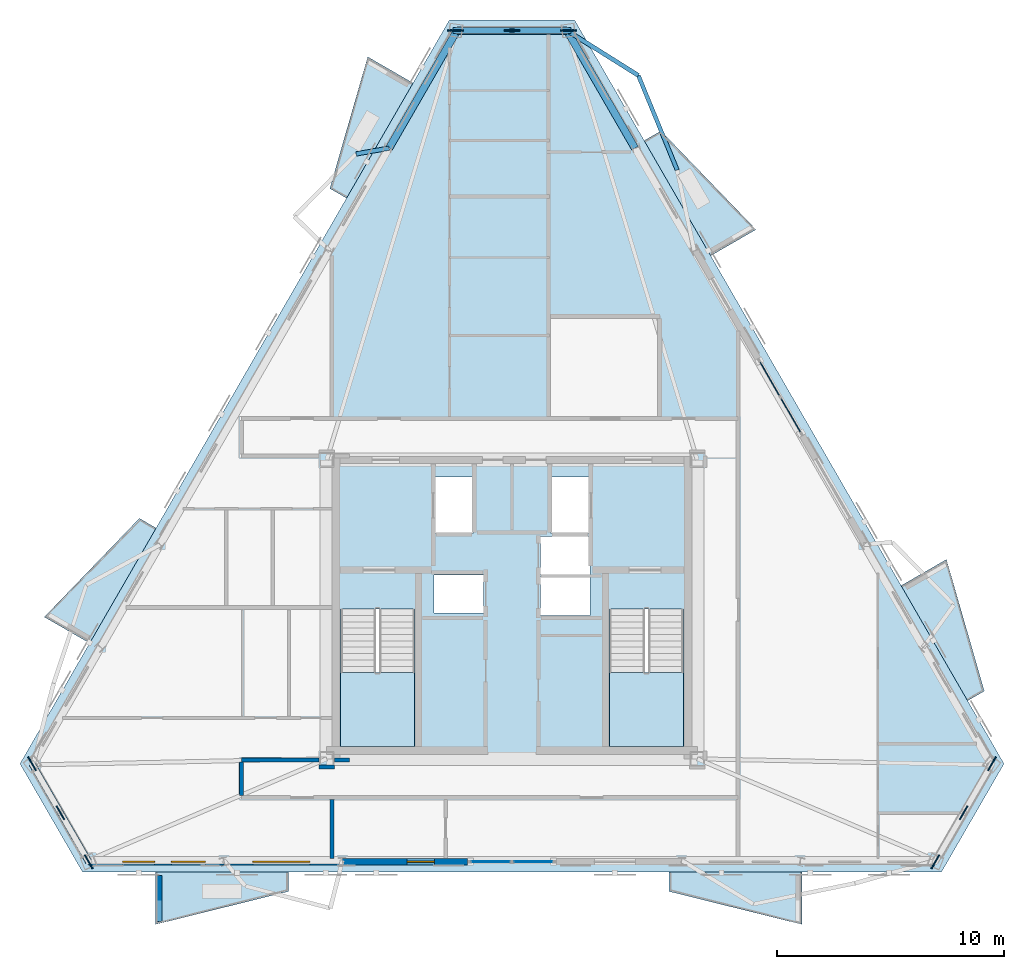
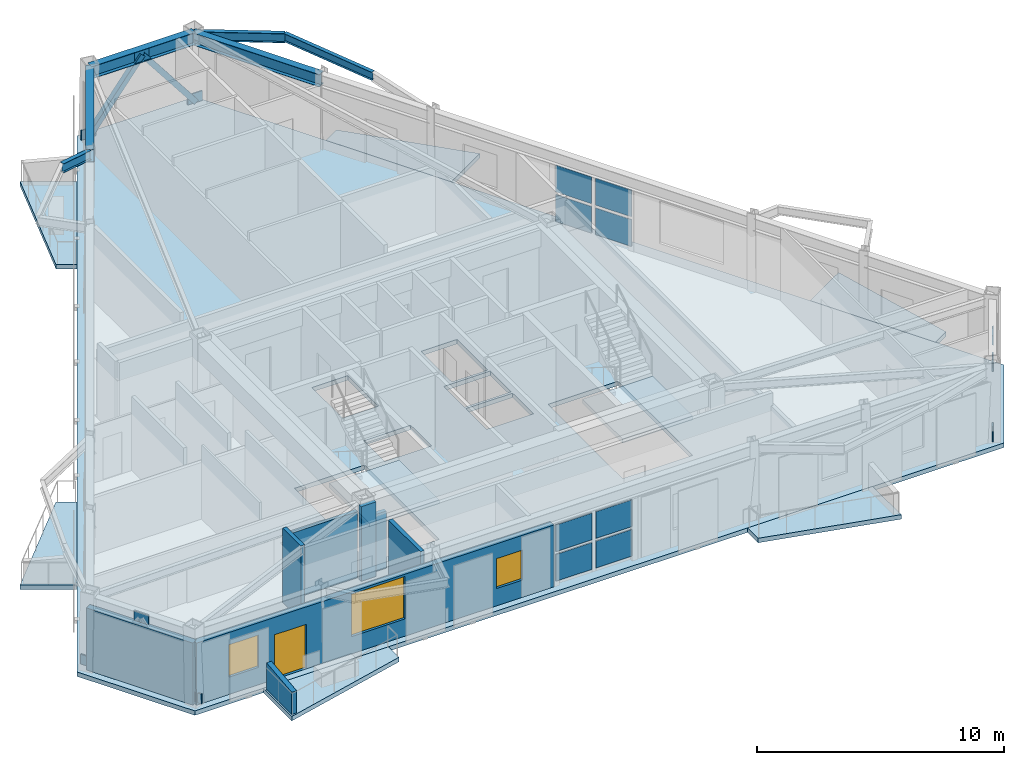
# One storey, part 7 of 15: 17 plates, 9 slabs, 8 walls, 6 beams, 3 windows, 2 members, 1 door, 4 openings, 4 elements without a shape of their own.
"""IFC4 building model written with IfcOpenShell, lengths in metres."""

import ifcopenshell
import ifcopenshell.guid

model = None  # the IFC model being written
_history = None  # IfcOwnerHistory: only IFC2X3 demands one
_inside = {}  # id of a spatial element -> (the spatial element, [elements in it])
_under = {}  # id of a project, library or spatial element -> (it, [spatial elements below it])
_declared = {}  # id of a project -> (the project, [libraries it declares])
_typed = {}  # id of a type object -> (the type object, [elements of that type])
_made_of = {}  # id of a material, layer set ... -> (it, [elements and type objects made of it])


def new_model(schema):
    """Start an empty IFC model of exactly this schema.

    Asked for "IFC4X3", IfcOpenShell would pick the latest addendum, in which some entities
    have other attributes; the version numbers below select the first issue.
    IFC2X3 requires an IfcOwnerHistory on every rooted entity: one is made here for all.
    """
    global model, _history
    if schema == "IFC4X3":
        model = ifcopenshell.file(schema_version=(4, 3, 0, 0))
    else:
        model = ifcopenshell.file(schema=schema)
    _inside.clear()
    _under.clear()
    _declared.clear()
    _typed.clear()
    _made_of.clear()
    _history = None
    if model.schema == "IFC2X3":
        org = make("IfcOrganization", Name="unknown")
        user = make(
            "IfcPersonAndOrganization",
            ThePerson=make("IfcPerson", FamilyName="unknown"),
            TheOrganization=org,
        )
        app = make(
            "IfcApplication",
            ApplicationDeveloper=org,
            Version="unknown",
            ApplicationFullName="unknown",
            ApplicationIdentifier="unknown",
        )
        _history = make(
            "IfcOwnerHistory",
            OwningUser=user,
            OwningApplication=app,
            ChangeAction="ADDED",
            CreationDate=0,
        )
    return model


def make(cls, **values):
    """One entity of the class cls with the attributes given. An attribute that is None is left unset."""
    return model.create_entity(
        cls, **{name: value for name, value in values.items() if value is not None}
    )


def rooted(cls, **values):
    """An entity with a GlobalId (a new one), such as an element, a storey or a relation."""
    return make(cls, GlobalId=ifcopenshell.guid.new(), OwnerHistory=_history, **values)


def si_unit(unit_type, name, prefix=None):
    """IfcSIUnit, for example si_unit("LENGTHUNIT", "METRE", prefix="MILLI")."""
    return make("IfcSIUnit", UnitType=unit_type, Prefix=prefix, Name=name)


def assignment(units):
    """IfcUnitAssignment: the units of a project."""
    return None if units is None else make("IfcUnitAssignment", Units=units)


def point(xyz):
    """IfcCartesianPoint."""
    return None if xyz is None else make("IfcCartesianPoint", Coordinates=xyz)


def direction(xyz):
    """IfcDirection."""
    return None if xyz is None else make("IfcDirection", DirectionRatios=xyz)


def frame(location, z_axis=None, x_axis=None):
    """IfcAxis2Placement3D, a coordinate frame: its origin and axes. An axis left out is left unset."""
    return make(
        "IfcAxis2Placement3D",
        Location=point(location),
        Axis=direction(z_axis),
        RefDirection=direction(x_axis),
    )


def frame_2d(location, x_axis=None):
    """IfcAxis2Placement2D, a coordinate frame in the plane: its origin and x axis."""
    return make(
        "IfcAxis2Placement2D", Location=point(location), RefDirection=direction(x_axis)
    )


def origin():
    """The frame at (0, 0, 0) with its axes left unset."""
    return frame((0.0, 0.0, 0.0))


def origin_2d():
    """The frame at (0, 0) in the plane with its x axis left unset."""
    return frame_2d((0.0, 0.0))


def place(relative_to, where):
    """IfcLocalPlacement: puts the frame where relative to a parent placement (None: the world)."""
    return make(
        "IfcLocalPlacement", PlacementRelTo=relative_to, RelativePlacement=where
    )


def context(
    kind, dimensions, precision=None, world=None, true_north=None, identifier=None
):
    """IfcGeometricRepresentationContext, for example the 3D "Model" context."""
    return make(
        "IfcGeometricRepresentationContext",
        ContextIdentifier=identifier,
        ContextType=kind,
        CoordinateSpaceDimension=dimensions,
        Precision=precision,
        WorldCoordinateSystem=world,
        TrueNorth=true_north,
    )


def subcontext(parent, identifier, kind, view, scale=None):
    """IfcGeometricRepresentationSubContext, for example "Body" below "Model"."""
    return make(
        "IfcGeometricRepresentationSubContext",
        ContextIdentifier=identifier,
        ContextType=kind,
        ParentContext=parent,
        TargetScale=scale,
        TargetView=view,
    )


def project(units=None, contexts=None):
    """IfcProject with its units and contexts."""
    return rooted(
        "IfcProject",
        Name="project",
        RepresentationContexts=contexts,
        UnitsInContext=assignment(units),
    )


def spatial(cls, under=None, at=None, **own):
    """A site, building, storey or space (cls), placed at a placement, below another one or the project."""
    s = rooted(cls, ObjectPlacement=at, **own)
    if under is not None:
        _under.setdefault(under.id(), (under, []))[1].append(s)
    return s


def polyline(points):
    """IfcPolyline through the points."""
    return make("IfcPolyline", Points=[point(p) for p in points])


def profile(cls, at=None, kind="AREA", **sizes):
    """A parametric profile (cls). Its sizes go by their IFC names, for example OverallWidth=200.0."""
    return make(cls, ProfileType=kind, Position=at, **sizes)


def rectangle(**sizes):
    """IfcRectangleProfileDef."""
    return profile("IfcRectangleProfileDef", **sizes)


def hollow_rectangle(**sizes):
    """IfcRectangleHollowProfileDef."""
    return profile("IfcRectangleHollowProfileDef", **sizes)


def i_section(**sizes):
    """IfcIShapeProfileDef."""
    return profile("IfcIShapeProfileDef", **sizes)


def outline(outer, holes=None, kind="AREA"):
    """IfcArbitraryClosedProfileDef: a profile drawn as a closed curve; with holes, ...WithVoids."""
    if holes is None:
        return make("IfcArbitraryClosedProfileDef", ProfileType=kind, OuterCurve=outer)
    return make(
        "IfcArbitraryProfileDefWithVoids",
        ProfileType=kind,
        OuterCurve=outer,
        InnerCurves=holes,
    )


def extrude(swept, where, along, depth):
    """IfcExtrudedAreaSolid: the profile swept, set in the frame where, extruded along a direction by depth."""
    return make(
        "IfcExtrudedAreaSolid",
        SweptArea=swept,
        Position=where,
        ExtrudedDirection=direction(along),
        Depth=depth,
    )


def shape(context_of_items, identifier, shape_type, items):
    """IfcShapeRepresentation: the items that make up one representation, for example the "Body"."""
    return make(
        "IfcShapeRepresentation",
        ContextOfItems=context_of_items,
        RepresentationIdentifier=identifier,
        RepresentationType=shape_type,
        Items=items,
    )


def material(Name=None, Category=None):
    """IfcMaterial."""
    return make("IfcMaterial", Name=Name, Category=Category)


def layer(
    of_material, thickness, ventilated=None, Name=None, Category=None, Priority=None
):
    """IfcMaterialLayer: one layer of a wall or slab, of a material (None: an air gap)."""
    return make(
        "IfcMaterialLayer",
        Material=of_material,
        LayerThickness=thickness,
        IsVentilated=ventilated,
        Name=Name,
        Category=Category,
        Priority=Priority,
    )


def layer_set(layers, Name=None):
    """IfcMaterialLayerSet."""
    return make("IfcMaterialLayerSet", MaterialLayers=layers, LayerSetName=Name)


def material_profile(
    of_material, cross_section, Name=None, Category=None, Priority=None
):
    """IfcMaterialProfile: a cross section and its material."""
    return make(
        "IfcMaterialProfile",
        Name=Name,
        Material=of_material,
        Profile=cross_section,
        Priority=Priority,
        Category=Category,
    )


def profile_set(profiles, Name=None, composite=None):
    """IfcMaterialProfileSet."""
    return make(
        "IfcMaterialProfileSet",
        Name=Name,
        MaterialProfiles=profiles,
        CompositeProfile=composite,
    )


def made_of(thing, what):
    """Note that an element or type object is made of a material, layer set ...; save() writes the relation."""
    if what is not None:
        _made_of.setdefault(what.id(), (what, []))[1].append(thing)
    return thing


def type_object(cls, material=None, **own):
    """A type object (cls), such as IfcWallType, which elements share."""
    return made_of(rooted(cls, **own), material)


def element(
    cls,
    number,
    at=None,
    inside=None,
    cuts=None,
    type_object=None,
    material=None,
    context=None,
    identifier="Body",
    shape_type=None,
    held_by="IfcProductDefinitionShape",
    body=None,
    shapes=None,
    **own,
):
    """One element of the class cls, such as IfcWall. Its Tag is "e" and its number.

    at: its placement. inside: the storey or other place that contains it. cuts: it is an
    opening in that element (IfcRelVoidsElement). A single representation is given by context,
    identifier, shape_type and body (its items); several are given by shapes. held_by: the class
    of the entity that holds the representations. save() writes the other relations.
    """
    e = rooted(cls, Tag="e%d" % number, ObjectPlacement=at, **own)
    if body is not None:
        shapes = [shape(context, identifier, shape_type, body)]
    if shapes is not None:
        e.Representation = make(held_by, Representations=shapes)
    if inside is not None:
        _inside.setdefault(inside.id(), (inside, []))[1].append(e)
    if cuts is not None:
        rooted(
            "IfcRelVoidsElement", RelatingBuildingElement=cuts, RelatedOpeningElement=e
        )
    if type_object is not None:
        _typed.setdefault(type_object.id(), (type_object, []))[1].append(e)
    return made_of(e, material)


def fill(opening, filler):
    """IfcRelFillsElement: the door or window that sits in an opening."""
    return rooted(
        "IfcRelFillsElement",
        RelatingOpeningElement=opening,
        RelatedBuildingElement=filler,
    )


def aggregate(whole, parts):
    """IfcRelAggregates: a whole, such as a stair, and the parts it consists of."""
    return rooted("IfcRelAggregates", RelatingObject=whole, RelatedObjects=parts)


def save(model, path):
    """Write the relations noted so far, then the file.

    IfcRelAggregates (storeys below a building ...), IfcRelContainedInSpatialStructure (elements
    in a storey), IfcRelDefinesByType, IfcRelAssociatesMaterial and IfcRelDeclares: one each for
    every whole, place, type object, material and project.
    """
    for whole, parts in _under.values():
        aggregate(whole, parts)
    for where, things in _inside.values():
        rooted(
            "IfcRelContainedInSpatialStructure",
            RelatedElements=things,
            RelatingStructure=where,
        )
    for kind, things in _typed.values():
        rooted("IfcRelDefinesByType", RelatedObjects=things, RelatingType=kind)
    for what, things in _made_of.values():
        rooted("IfcRelAssociatesMaterial", RelatedObjects=things, RelatingMaterial=what)
    for by, libraries in _declared.values():
        rooted("IfcRelDeclares", RelatingContext=by, RelatedDefinitions=libraries)
    model.write(path)


model = new_model("IFC4")

# Units and contexts
model_context = context("Model", 3, precision=1e-05, world=origin(), true_north=direction((0.0, 1.0)))
body_context = subcontext(model_context, "Body", "Model", "MODEL_VIEW")
ifc_project = project(units=[si_unit("LENGTHUNIT", "METRE"), si_unit("AREAUNIT", "SQUARE_METRE"), si_unit("VOLUMEUNIT", "CUBIC_METRE"), si_unit("PLANEANGLEUNIT", "RADIAN"), si_unit("MASSUNIT", "GRAM", prefix="KILO")], contexts=[model_context])

# Site, building, storey
site_placement = place(None, origin())
site = spatial("IfcSite", under=ifc_project, at=site_placement, CompositionType="ELEMENT")
building_placement = place(site_placement, origin())
building = spatial("IfcBuilding", under=site, at=building_placement, Name="Oramaril Tower", CompositionType="ELEMENT")
storey_placement = place(building_placement, frame((0.0, 0.0, 265.5)))
storey = spatial("IfcBuildingStorey", under=building, at=storey_placement, Name="L70", CompositionType="ELEMENT", Elevation=265.5)

# Beams
ifc_material_1 = material(Name="Steel ASTM A572 Gr 50", Category="steel")
ifc_material_profile_1 = material_profile(ifc_material_1, i_section(OverallWidth=0.19091796875, OverallDepth=0.45703125, WebThickness=0.009033203125, FlangeThickness=0.014404296875, at=origin_2d()), Name="W18X50")
ifc_profile_set_1 = profile_set([ifc_material_profile_1], Name="Steel ASTM A572 Gr 50")
beam_type_1 = type_object("IfcBeamType", Name="BT-BB1", PredefinedType="BEAM", material=ifc_profile_set_1)
beam_1_placement = place(storey_placement, frame((39.923828125, 43.0322265625, 3.451416015625), z_axis=(0.846798752878, -0.531913406604, 0.0), x_axis=(0.531913406604, 0.846798752878, 0.0)))
element("IfcBeam", 1, at=beam_1_placement, inside=storey, type_object=beam_type_1, Name="L70 Balcony Column-Framed Cantilever 04.2", PredefinedType="BEAM", context=body_context, shape_type="SweptSolid", body=[
    extrude(i_section(OverallWidth=0.19091796875, OverallDepth=0.45703125, WebThickness=0.009033203125, FlangeThickness=0.014404296875, at=origin_2d()), origin(), (0.0, 0.0, 1.0), 3.699951171875),
])
beam_2_placement = place(storey_placement, frame((32.09228515625, 37.8642578125, 3.451416015625), z_axis=(-0.984940174628, -0.172895495614, 0.0), x_axis=(0.172895495614, -0.984940174628, 0.0)))
element("IfcBeam", 2, at=beam_2_placement, inside=storey, type_object=beam_type_1, Name="L70 Balcony Column-Framed Cantilever 05.1", PredefinedType="BEAM", context=body_context, shape_type="SweptSolid", body=[
    extrude(i_section(OverallWidth=0.19091796875, OverallDepth=0.45703125, WebThickness=0.009033203125, FlangeThickness=0.014404296875, at=origin_2d()), origin(), (0.0, 0.0, 1.0), 1.471435546875),
])
ifc_material_2 = material(Name="Steel ASTM A572 Gr 50", Category="steel")
ifc_material_profile_2 = material_profile(ifc_material_2, i_section(OverallWidth=0.177978515625, OverallDepth=0.404052734375, WebThickness=0.007568359375, FlangeThickness=0.010986328125, at=origin_2d()), Name="W16X36")
ifc_profile_set_2 = profile_set([ifc_material_profile_2], Name="Steel ASTM A572 Gr 50")
beam_type_2 = type_object("IfcBeamType", Name="BT-SB1", PredefinedType="BEAM", material=ifc_profile_set_2)
beam_3_placement = place(storey_placement, frame((44.7666015625, 36.900634765625, 3.47802734375), z_axis=(-0.379857521813, 0.925045005998, 0.0), x_axis=(-0.925045005998, -0.379857521813, 0.0)))
element("IfcBeam", 3, at=beam_3_placement, inside=storey, type_object=beam_type_2, Name="L70 Balcony Edge Tie Beam 04", PredefinedType="BEAM", context=body_context, shape_type="SweptSolid", body=[
    extrude(i_section(OverallWidth=0.177978515625, OverallDepth=0.404052734375, WebThickness=0.007568359375, FlangeThickness=0.010986328125, at=origin_2d()), origin(), (0.0, 0.0, 1.0), 4.5009765625),
])
ifc_material_3 = material(Name="Steel ASTM A572 Gr 50", Category="steel")
ifc_material_profile_3 = material_profile(ifc_material_3, i_section(OverallWidth=0.324951171875, OverallDepth=0.612060546875, WebThickness=0.0126953125, FlangeThickness=0.01904296875, at=origin_2d()), Name="W24X104")
ifc_profile_set_3 = profile_set([ifc_material_profile_3], Name="Steel ASTM A572 Gr 50")
beam_type_3 = type_object("IfcBeamType", Name="BT-SP5", PredefinedType="SPANDREL", material=ifc_profile_set_3)
beam_4_placement = place(storey_placement, frame((42.90771484375, 37.8642578125, 3.3740234375), z_axis=(-0.50001992892, 0.866013897511, 0.0), x_axis=(-0.866013897511, -0.50001992892, 0.0)))
element("IfcBeam", 4, at=beam_4_placement, inside=storey, type_object=beam_type_3, Name="L70 Perimeter Spandrel 12", PredefinedType="SPANDREL", context=body_context, shape_type="SweptSolid", body=[
    extrude(i_section(OverallWidth=0.324951171875, OverallDepth=0.612060546875, WebThickness=0.0126953125, FlangeThickness=0.01904296875, at=origin_2d()), origin(), (0.0, 0.0, 1.0), 5.967529296875),
])
beam_5_placement = place(storey_placement, frame((39.923828125, 43.0322265625, 3.3740234375), z_axis=(-1.0, 0.0, 0.0), x_axis=(0.0, -1.0, 0.0)))
element("IfcBeam", 5, at=beam_5_placement, inside=storey, type_object=beam_type_3, Name="L70 Perimeter Spandrel 13", PredefinedType="SPANDREL", context=body_context, shape_type="SweptSolid", body=[
    extrude(i_section(OverallWidth=0.324951171875, OverallDepth=0.612060546875, WebThickness=0.0126953125, FlangeThickness=0.01904296875, at=origin_2d()), origin(), (0.0, 0.0, 1.0), 4.84765625),
])
beam_6_placement = place(storey_placement, frame((35.076171875, 43.0322265625, 3.3740234375), z_axis=(-0.50001992892, -0.866013897511, 0.0), x_axis=(0.866013897511, -0.50001992892, 0.0)))
element("IfcBeam", 6, at=beam_6_placement, inside=storey, type_object=beam_type_3, Name="L70 Perimeter Spandrel 14", PredefinedType="SPANDREL", context=body_context, shape_type="SweptSolid", body=[
    extrude(i_section(OverallWidth=0.324951171875, OverallDepth=0.612060546875, WebThickness=0.0126953125, FlangeThickness=0.01904296875, at=origin_2d()), origin(), (0.0, 0.0, 1.0), 5.967529296875),
])

# Members
ifc_material_4 = material(Name="Steel ASTM A572 Gr 50", Category="steel")
ifc_material_profile_4 = material_profile(ifc_material_4, hollow_rectangle(XDim=0.25, YDim=0.25, WallThickness=0.011962890625, at=origin_2d()), Name="HSS250X250X12")
ifc_profile_set_4 = profile_set([ifc_material_profile_4], Name="Steel ASTM A572 Gr 50")
member_type = type_object("IfcMemberType", Name="MT-KB3", PredefinedType="BRACE", material=ifc_profile_set_4)
for number, where, z_axis, x_axis, name in (
    (7, (39.98779296875, 43.04150390625, 0.179931640625), (-0.614479015305, 0.0, 0.788933165578), (0.0, -1.0, 0.0), "L70 Perimeter Chevron Brace KB-3A"),
    (8, (35.01220703125, 43.04150390625, 0.179931640625), (0.614479015305, 0.0, 0.788933165578), (0.0, 1.0, 0.0), "L70 Perimeter Chevron Brace KB-3B"),
):
    element("IfcMember", number, at=place(storey_placement, frame(where, z_axis=z_axis, x_axis=x_axis)), inside=storey, type_object=member_type, Name=name, PredefinedType="BRACE", context=body_context, shape_type="SweptSolid", body=[
        extrude(hollow_rectangle(XDim=0.25, YDim=0.25, WallThickness=0.011962890625, at=origin_2d()), origin(), (0.0, 0.0, 1.0), 4.048583984375),
    ])

# Curtain wall, plates
ifc_material_5 = material(Name="Anodised Aluminium 6063-T6", Category="aluminium")
ifc_layer_1 = layer(ifc_material_5, 0.179931640625)
ifc_layer_set_1 = layer_set([ifc_layer_1], Name="CWT-SYS4")
curtain_wall_type = type_object("IfcCurtainWallType", Name="CWT-SYS4", PredefinedType="NOTDEFINED", material=ifc_layer_set_1)
curtain_wall_1_placement = place(storey_placement, origin())
curtain_wall_1 = element("IfcCurtainWall", 9, at=curtain_wall_1_placement, inside=storey, type_object=curtain_wall_type, Name="L70 Unitised Curtain Wall CW-4", PredefinedType="NOTDEFINED")
ifc_material_6 = material(Name="Coastal Low-E Insulated Glass", Category="glass")
ifc_layer_2 = layer(ifc_material_6, 0.0400390625)
ifc_layer_set_2 = layer_set([ifc_layer_2], Name="PLT-CWP4")
plate_type_1 = type_object("IfcPlateType", Name="PLT-CWP4", PredefinedType="CURTAIN_PANEL", material=ifc_layer_set_2)
plate_1_placement = place(storey_placement, frame((36.570068359375, 6.474853515625, 0.14013671875), z_axis=(0.0, 0.0, 1.0), x_axis=(1.0, 0.0, 0.0)))
plate_1 = element("IfcPlate", 10, at=plate_1_placement, type_object=plate_type_1, Name="CW-4 panel 1.1", PredefinedType="CURTAIN_PANEL", context=body_context, shape_type="SweptSolid", body=[
    extrude(rectangle(XDim=1.679931640625, YDim=0.0400390625, at=origin_2d()), origin(), (0.0, 0.0, 1.0), 1.319091796875),
])
plate_2_placement = place(storey_placement, frame((36.570068359375, 6.474853515625, 1.59912109375), z_axis=(0.0, 0.0, 1.0), x_axis=(1.0, 0.0, 0.0)))
plate_2 = element("IfcPlate", 11, at=plate_2_placement, type_object=plate_type_1, Name="CW-4 panel 1.2", PredefinedType="CURTAIN_PANEL", context=body_context, shape_type="SweptSolid", body=[
    extrude(rectangle(XDim=1.679931640625, YDim=0.0400390625, at=origin_2d()), origin(), (0.0, 0.0, 1.0), 1.319091796875),
])
plate_3_placement = place(storey_placement, frame((38.429931640625, 6.474853515625, 0.14013671875), z_axis=(0.0, 0.0, 1.0), x_axis=(1.0, 0.0, 0.0)))
plate_3 = element("IfcPlate", 12, at=plate_3_placement, type_object=plate_type_1, Name="CW-4 panel 2.1", PredefinedType="CURTAIN_PANEL", context=body_context, shape_type="SweptSolid", body=[
    extrude(rectangle(XDim=1.679931640625, YDim=0.0400390625, at=origin_2d()), origin(), (0.0, 0.0, 1.0), 1.319091796875),
])
plate_4_placement = place(storey_placement, frame((38.429931640625, 6.474853515625, 1.59912109375), z_axis=(0.0, 0.0, 1.0), x_axis=(1.0, 0.0, 0.0)))
plate_4 = element("IfcPlate", 13, at=plate_4_placement, type_object=plate_type_1, Name="CW-4 panel 2.2", PredefinedType="CURTAIN_PANEL", context=body_context, shape_type="SweptSolid", body=[
    extrude(rectangle(XDim=1.679931640625, YDim=0.0400390625, at=origin_2d()), origin(), (0.0, 0.0, 1.0), 1.319091796875),
])
aggregate(curtain_wall_1, [plate_1, plate_2, plate_3, plate_4])

curtain_wall_2_placement = place(storey_placement, origin())
curtain_wall_2 = element("IfcCurtainWall", 14, at=curtain_wall_2_placement, inside=storey, type_object=curtain_wall_type, Name="L70 Unitised Curtain Wall CW-4", PredefinedType="NOTDEFINED")
plate_5_placement = place(storey_placement, frame((49.764892578125, 26.107177734375, 0.14013671875), z_axis=(0.0, 0.0, 1.0), x_axis=(-0.499999897278, 0.866025463091, 0.0)))
plate_5 = element("IfcPlate", 15, at=plate_5_placement, type_object=plate_type_1, Name="CW-4 panel 1.1", PredefinedType="CURTAIN_PANEL", context=body_context, shape_type="SweptSolid", body=[
    extrude(rectangle(XDim=1.679931640625, YDim=0.0400390625, at=origin_2d()), origin(), (0.0, 0.0, 1.0), 1.319091796875),
])
plate_6_placement = place(storey_placement, frame((49.764892578125, 26.107177734375, 1.59912109375), z_axis=(0.0, 0.0, 1.0), x_axis=(-0.499999897278, 0.866025463091, 0.0)))
plate_6 = element("IfcPlate", 16, at=plate_6_placement, type_object=plate_type_1, Name="CW-4 panel 1.2", PredefinedType="CURTAIN_PANEL", context=body_context, shape_type="SweptSolid", body=[
    extrude(rectangle(XDim=1.679931640625, YDim=0.0400390625, at=origin_2d()), origin(), (0.0, 0.0, 1.0), 1.319091796875),
])
plate_7_placement = place(storey_placement, frame((48.834716796875, 27.718017578125, 0.14013671875), z_axis=(0.0, 0.0, 1.0), x_axis=(-0.499999897278, 0.866025463091, 0.0)))
plate_7 = element("IfcPlate", 17, at=plate_7_placement, type_object=plate_type_1, Name="CW-4 panel 2.1", PredefinedType="CURTAIN_PANEL", context=body_context, shape_type="SweptSolid", body=[
    extrude(rectangle(XDim=1.679931640625, YDim=0.0400390625, at=origin_2d()), origin(), (0.0, 0.0, 1.0), 1.319091796875),
])
plate_8_placement = place(storey_placement, frame((48.834716796875, 27.718017578125, 1.59912109375), z_axis=(0.0, 0.0, 1.0), x_axis=(-0.499999897278, 0.866025463091, 0.0)))
plate_8 = element("IfcPlate", 18, at=plate_8_placement, type_object=plate_type_1, Name="CW-4 panel 2.2", PredefinedType="CURTAIN_PANEL", context=body_context, shape_type="SweptSolid", body=[
    extrude(rectangle(XDim=1.679931640625, YDim=0.0400390625, at=origin_2d()), origin(), (0.0, 0.0, 1.0), 1.319091796875),
])
aggregate(curtain_wall_2, [plate_5, plate_6, plate_7, plate_8])

# Plates
ifc_material_7 = material(Name="Steel ASTM A572 Gr 50", Category="steel")
ifc_layer_3 = layer(ifc_material_7, 0.06005859375)
ifc_layer_set_3 = layer_set([ifc_layer_3], Name="PLT-G60")
plate_type_2 = type_object("IfcPlateType", Name="PLT-G60", PredefinedType="USERDEFINED", material=ifc_layer_set_3)
for number, where, z_axis, x_axis, name in (
    (19, (17.632080078125, 8.629150390625, 3.134033203125), (0.0, 0.0, 1.0), (0.500001511499, -0.866024531118, 0.0), "L70 Chevron Brace Gusset Plate BN-1"),
    (20, (16.38818359375, 10.78369140625, 0.10009765625), (0.0, 0.0, 1.0), (0.500001511499, -0.866024531118, 0.0), "L70 Chevron Brace Gusset Plate BN-1"),
    (21, (18.8759765625, 6.474853515625, 0.10009765625), (0.0, 0.0, 1.0), (0.500001511499, -0.866024531118, 0.0), "L70 Chevron Brace Gusset Plate BN-1"),
    (22, (57.367919921875, 8.629150390625, 3.134033203125), (0.0, 0.0, 1.0), (0.500001511499, 0.866024531118, 0.0), "L70 Chevron Brace Gusset Plate BN-1"),
    (23, (56.1240234375, 6.474853515625, 0.10009765625), (0.0, 0.0, 1.0), (0.500001511499, 0.866024531118, 0.0), "L70 Chevron Brace Gusset Plate BN-1"),
    (24, (58.61181640625, 10.78369140625, 0.10009765625), (0.0, 0.0, 1.0), (0.500001511499, 0.866024531118, 0.0), "L70 Chevron Brace Gusset Plate BN-1"),
    (25, (37.5, 43.04150390625, 3.134033203125), (0.0, 0.0, 1.0), (-1.0, 0.0, 0.0), "L70 Chevron Brace Gusset Plate BN-1"),
    (26, (39.98779296875, 43.04150390625, 0.10009765625), (0.0, 0.0, 1.0), (-1.0, 0.0, 0.0), "L70 Chevron Brace Gusset Plate BN-1"),
    (27, (35.01220703125, 43.04150390625, 0.10009765625), (0.0, 0.0, 1.0), (-1.0, 0.0, 0.0), "L70 Chevron Brace Gusset Plate BN-1"),
):
    element("IfcPlate", number, at=place(storey_placement, frame(where, z_axis=z_axis, x_axis=x_axis)), inside=storey, type_object=plate_type_2, Name=name, ObjectType="GUSSET", PredefinedType="USERDEFINED", context=body_context, shape_type="SweptSolid", body=[
        extrude(rectangle(XDim=0.679931640625, YDim=0.06005859375, at=origin_2d()), origin(), (0.0, 0.0, 1.0), 0.47998046875),
    ])

# Slabs
ifc_material_8 = material(Name="Concrete C40/50", Category="concrete")
ifc_layer_4 = layer(ifc_material_8, 0.199951171875)
ifc_layer_set_4 = layer_set([ifc_layer_4], Name="SLT-BAL20")
slab_type_1 = type_object("IfcSlabType", Name="SLT-BAL20", PredefinedType="FLOOR", material=ifc_layer_set_4)
slab_1_placement = place(storey_placement, frame((0.0, 0.0, -0.219970703125)))
element("IfcSlab", 28, at=slab_1_placement, inside=storey, type_object=slab_type_1, Name="L70 Cantilevered Balcony Slab L70-BAL-S2", PredefinedType="FLOOR", context=body_context, shape_type="SweptSolid", body=[
    extrude(outline(polyline([(44.414794921875, 6.016845703125), (50.2646484375, 6.016845703125), (50.2646484375, 3.71484375), (44.414794921875, 5.164794921875), (44.414794921875, 6.016845703125)])), origin(), (0.0, 0.0, 1.0), 0.219970703125),
])
slab_2_placement = place(storey_placement, frame((0.0, 0.0, -0.219970703125)))
element("IfcSlab", 29, at=slab_2_placement, inside=storey, type_object=slab_type_1, Name="L70 Cantilevered Balcony Slab L70-BAL-NE1", PredefinedType="FLOOR", context=body_context, shape_type="SweptSolid", body=[
    extrude(outline(polyline([(57.541259765625, 13.553955078125), (54.6162109375, 18.6201171875), (56.60986328125, 19.77099609375), (58.279052734375, 13.97998046875), (57.541259765625, 13.553955078125)])), origin(), (0.0, 0.0, 1.0), 0.219970703125),
])
slab_3_placement = place(storey_placement, frame((0.0, 0.0, -0.219970703125)))
element("IfcSlab", 30, at=slab_3_placement, inside=storey, type_object=slab_type_1, Name="L70 Cantilevered Balcony Slab L70-BAL-NW2", PredefinedType="FLOOR", context=body_context, shape_type="SweptSolid", body=[
    extrude(outline(polyline([(21.84619140625, 21.1533203125), (18.921142578125, 16.0869140625), (16.927490234375, 17.238037109375), (21.1083984375, 21.579345703125), (21.84619140625, 21.1533203125)])), origin(), (0.0, 0.0, 1.0), 0.219970703125),
])
ifc_material_9 = material(Name="Concrete C50/60", Category="concrete")
ifc_layer_5 = layer(ifc_material_9, 0.219970703125)
ifc_layer_set_5 = layer_set([ifc_layer_5], Name="SLT-FLR22")
slab_type_2 = type_object("IfcSlabType", Name="SLT-FLR22", PredefinedType="FLOOR", material=ifc_layer_set_5)
slab_4_placement = place(storey_placement, frame((0.0, 0.0, -0.219970703125)))
element("IfcSlab", 31, at=slab_4_placement, inside=storey, type_object=slab_type_2, Name="L70 Structural Floor Slab", PredefinedType="FLOOR", context=body_context, shape_type="SweptSolid", body=[
    extrude(outline(polyline([(15.85693359375, 10.78369140625), (18.6103515625, 6.014892578125), (56.3896484375, 6.014892578125), (59.14306640625, 10.78369140625), (40.25341796875, 43.501708984375), (34.74658203125, 43.501708984375), (15.85693359375, 10.78369140625)]), holes=[polyline([(29.949951171875, 17.58935546875), (29.949951171875, 11.550048828125), (33.219970703125, 11.550048828125), (33.219970703125, 17.58935546875), (29.949951171875, 17.58935546875)]), polyline([(41.780029296875, 17.58935546875), (41.780029296875, 11.550048828125), (45.050048828125, 11.550048828125), (45.050048828125, 17.58935546875), (41.780029296875, 17.58935546875)]), polyline([(34.110107421875, 20.909912109375), (35.7900390625, 20.909912109375), (35.7900390625, 23.389892578125), (34.110107421875, 23.389892578125), (34.110107421875, 20.909912109375)]), polyline([(39.2099609375, 20.909912109375), (40.889892578125, 20.909912109375), (40.889892578125, 23.389892578125), (39.2099609375, 23.389892578125), (39.2099609375, 20.909912109375)]), polyline([(34.06005859375, 17.409912109375), (36.239990234375, 17.409912109375), (36.239990234375, 19.090087890625), (34.06005859375, 19.090087890625), (34.06005859375, 17.409912109375)]), polyline([(38.760009765625, 17.31005859375), (40.93994140625, 17.31005859375), (40.93994140625, 18.989990234375), (38.760009765625, 18.989990234375), (38.760009765625, 17.31005859375)]), polyline([(38.760009765625, 19.110107421875), (40.93994140625, 19.110107421875), (40.93994140625, 20.7900390625), (38.760009765625, 20.7900390625), (38.760009765625, 19.110107421875)])]), origin(), (0.0, 0.0, 1.0), 0.219970703125),
])

# Stair, slab
ifc_material_10 = material(Name="Concrete C50/60", Category="concrete")
stair_type = type_object("IfcStairType", Name="STT-DG-3900", PredefinedType="HALF_TURN_STAIR", material=ifc_material_10)
stair_1_placement = place(storey_placement, origin())
stair_1 = element("IfcStair", 32, at=stair_1_placement, inside=storey, type_object=stair_type, Name="L70 Protected PFP Exit Stair ST-1", PredefinedType="HALF_TURN_STAIR")
ifc_material_11 = material(Name="Concrete C50/60", Category="concrete")
ifc_layer_6 = layer(ifc_material_11, 0.199951171875)
ifc_layer_set_6 = layer_set([ifc_layer_6], Name="SLT-LND20")
slab_type_3 = type_object("IfcSlabType", Name="SLT-LND20", PredefinedType="LANDING", material=ifc_layer_set_6)
slab_5_placement = place(storey_placement, frame((0.0, 0.0, 1.75)))
slab_5 = element("IfcSlab", 33, at=slab_5_placement, type_object=slab_type_3, Name="ST-1 landing 1", PredefinedType="LANDING", context=body_context, shape_type="SweptSolid", body=[
    extrude(outline(polyline([(29.949951171875, 14.7900390625), (29.949951171875, 11.550048828125), (33.219970703125, 11.550048828125), (33.219970703125, 14.7900390625), (29.949951171875, 14.7900390625)])), origin(), (0.0, 0.0, 1.0), 0.199951171875),
])
aggregate(stair_1, [slab_5])

stair_2_placement = place(storey_placement, origin())
stair_2 = element("IfcStair", 34, at=stair_2_placement, inside=storey, type_object=stair_type, Name="L70 Protected PFP Exit Stair ST-2", PredefinedType="HALF_TURN_STAIR")
slab_6_placement = place(storey_placement, frame((0.0, 0.0, 1.75)))
slab_6 = element("IfcSlab", 35, at=slab_6_placement, type_object=slab_type_3, Name="ST-2 landing 1", PredefinedType="LANDING", context=body_context, shape_type="SweptSolid", body=[
    extrude(outline(polyline([(41.780029296875, 14.7900390625), (41.780029296875, 11.550048828125), (45.050048828125, 11.550048828125), (45.050048828125, 14.7900390625), (41.780029296875, 14.7900390625)])), origin(), (0.0, 0.0, 1.0), 0.199951171875),
])
aggregate(stair_2, [slab_6])

# Slabs
ifc_material_12 = material(Name="Concrete C40/50", Category="concrete")
ifc_layer_7 = layer(ifc_material_12, 0.18994140625)
ifc_layer_set_7 = layer_set([ifc_layer_7], Name="SLT-PLN19")
slab_type_4 = type_object("IfcSlabType", Name="SLT-PLN19", PredefinedType="FLOOR", material=ifc_layer_set_7)
slab_7_placement = place(storey_placement, frame((0.0, 0.0, -0.219970703125)))
element("IfcSlab", 36, at=slab_7_placement, inside=storey, type_object=slab_type_4, Name="L70 Tree Planter Balcony Slab L70-BAL-S1", PredefinedType="FLOOR", context=body_context, shape_type="SweptSolid", body=[
    extrude(outline(polyline([(21.810302734375, 6.016845703125), (27.660400390625, 6.016845703125), (27.660400390625, 5.164794921875), (21.810302734375, 3.71484375), (21.810302734375, 6.016845703125)])), origin(), (0.0, 0.0, 1.0), 0.219970703125),
])
slab_8_placement = place(storey_placement, frame((0.0, 0.0, -0.219970703125)))
element("IfcSlab", 37, at=slab_8_placement, inside=storey, type_object=slab_type_4, Name="L70 Tree Planter Balcony Slab L70-BAL-NE2", PredefinedType="FLOOR", context=body_context, shape_type="SweptSolid", body=[
    extrude(outline(polyline([(46.239013671875, 33.1298828125), (43.314208984375, 38.1962890625), (44.052001953125, 38.622314453125), (48.232666015625, 34.281005859375), (46.239013671875, 33.1298828125)])), origin(), (0.0, 0.0, 1.0), 0.219970703125),
])
slab_9_placement = place(storey_placement, frame((0.0, 0.0, -0.219970703125)))
element("IfcSlab", 38, at=slab_9_placement, inside=storey, type_object=slab_type_4, Name="L70 Tree Planter Balcony Slab L70-BAL-NW1", PredefinedType="FLOOR", context=body_context, shape_type="SweptSolid", body=[
    extrude(outline(polyline([(33.1484375, 40.729248046875), (30.223388671875, 35.6630859375), (29.485595703125, 36.089111328125), (31.15478515625, 41.88037109375), (33.1484375, 40.729248046875)])), origin(), (0.0, 0.0, 1.0), 0.219970703125),
])

# Wall
ifc_material_13 = material(Name="Warm Cream Limestone", Category="masonry")
ifc_layer_8 = layer(ifc_material_13, 0.2900390625)
ifc_layer_set_8 = layer_set([ifc_layer_8], Name="WT-EXT29")
wall_type_1 = type_object("IfcWallType", Name="WT-EXT29", PredefinedType="SOLIDWALL", material=ifc_layer_set_8)
wall_1_placement = place(storey_placement, frame((16.38818359375, 10.78369140625, 0.0), z_axis=(0.0, 0.0, 1.0), x_axis=(0.500012700186, -0.866018071205, 0.0)))
element("IfcWall", 39, at=wall_1_placement, inside=storey, type_object=wall_type_1, Name="L70 Tower Limestone Facade Wall 1M", PredefinedType="SOLIDWALL", context=body_context, shape_type="SweptSolid", body=[
    extrude(rectangle(XDim=4.975341796875, YDim=0.2900390625, at=frame_2d((2.48779296875, 0.0))), origin(), (0.0, 0.0, 1.0), 3.05810546875),
])

# Wall, openings, door, windows
wall_2_placement = place(storey_placement, frame((18.8759765625, 6.474853515625, 0.0), z_axis=(0.0, 0.0, 1.0), x_axis=(1.0, 0.0, 0.0)))
wall_2 = element("IfcWall", 40, at=wall_2_placement, inside=storey, type_object=wall_type_1, Name="L70 Tower Limestone Facade Wall 2L", PredefinedType="SOLIDWALL", context=body_context, shape_type="SweptSolid", body=[
    extrude(rectangle(XDim=16.674072265625, YDim=0.2900390625, at=frame_2d((8.3369140625, 0.0))), origin(), (0.0, 0.0, 1.0), 3.05810546875),
])
opening_1_placement = place(wall_2_placement, frame((3.639404296875, 0.0, 0.0)))
opening_1 = element("IfcOpeningElement", 41, at=opening_1_placement, cuts=wall_2, Name="Opening D-L70-BAL-S1", PredefinedType="OPENING", context=body_context, shape_type="SweptSolid", body=[
    extrude(rectangle(XDim=1.5, YDim=2.199951171875, at=frame_2d((0.75, 1.10009765625))), frame((0.0, 0.14501953125, 0.0), z_axis=(0.0, -1.0, 0.0), x_axis=(1.0, 0.0, 0.0)), (0.0, 0.0, 1.0), 0.2900390625),
])
opening_2_placement = place(wall_2_placement, frame((14.006103515625, 0.0, 0.85009765625)))
opening_2 = element("IfcOpeningElement", 42, at=opening_2_placement, cuts=wall_2, Name="Opening WN-09", PredefinedType="OPENING", context=body_context, shape_type="SweptSolid", body=[
    extrude(rectangle(XDim=1.199951171875, YDim=1.47998046875, at=frame_2d((0.60009765625, 0.739990234375))), frame((0.0, 0.14501953125, 0.0), z_axis=(0.0, -1.0, 0.0), x_axis=(1.0, 0.0, 0.0)), (0.0, 0.0, 1.0), 0.2900390625),
])
opening_3_placement = place(wall_2_placement, frame((1.500732421875, 0.0, 0.85009765625)))
opening_3 = element("IfcOpeningElement", 43, at=opening_3_placement, cuts=wall_2, Name="Opening WN-08", PredefinedType="OPENING", context=body_context, shape_type="SweptSolid", body=[
    extrude(rectangle(XDim=1.39990234375, YDim=1.60009765625, at=frame_2d((0.699951171875, 0.800048828125))), frame((0.0, 0.14501953125, 0.0), z_axis=(0.0, -1.0, 0.0), x_axis=(1.0, 0.0, 0.0)), (0.0, 0.0, 1.0), 0.2900390625),
])
opening_4_placement = place(wall_2_placement, frame((7.22900390625, 0.0, 0.85009765625)))
opening_4 = element("IfcOpeningElement", 44, at=opening_4_placement, cuts=wall_2, Name="Opening WN-11", PredefinedType="OPENING", context=body_context, shape_type="SweptSolid", body=[
    extrude(rectangle(XDim=2.5, YDim=2.097900390625, at=frame_2d((1.25, 1.048828125))), frame((0.0, 0.14501953125, 0.0), z_axis=(0.0, -1.0, 0.0), x_axis=(1.0, 0.0, 0.0)), (0.0, 0.0, 1.0), 0.2900390625),
])
ifc_material_14 = material(Name="Anodised Aluminium 6063-T6", Category="aluminium")
door_type = type_object("IfcDoorType", Name="DT-BAL", OperationType="NOTDEFINED", PredefinedType="DOOR", material=ifc_material_14)
door_placement = place(opening_1_placement, origin())
door = element("IfcDoor", 45, at=door_placement, inside=storey, type_object=door_type, Name="L70 Balcony Glazed Door L70-BAL-S1", OperationType="SINGLE_SWING_LEFT", OverallHeight=2.199951171875, OverallWidth=1.5, PredefinedType="DOOR", context=body_context, shape_type="SweptSolid", body=[
    extrude(rectangle(XDim=1.5, YDim=2.199951171875, at=frame_2d((0.75, 1.10009765625))), frame((0.0, 0.02490234375, 0.0), z_axis=(0.0, -1.0, 0.0), x_axis=(1.0, 0.0, 0.0)), (0.0, 0.0, 1.0), 0.050048828125),
])
fill(opening_1, door)
ifc_material_15 = material(Name="Coastal Low-E Insulated Glass", Category="glass")
window_type_1 = type_object("IfcWindowType", Name="WNT-08", PartitioningType="SINGLE_PANEL", PredefinedType="WINDOW", material=ifc_material_15)
window_1_placement = place(opening_3_placement, origin())
window_1 = element("IfcWindow", 46, at=window_1_placement, inside=storey, type_object=window_type_1, Name="L70 Chicago Bay Window WN-08", OverallHeight=1.60009765625, OverallWidth=1.39990234375, PartitioningType="SINGLE_PANEL", PredefinedType="WINDOW", context=body_context, shape_type="SweptSolid", body=[
    extrude(rectangle(XDim=1.39990234375, YDim=1.60009765625, at=frame_2d((0.699951171875, 0.800048828125))), frame((0.0, 0.030029296875, 0.0), z_axis=(0.0, -1.0, 0.0), x_axis=(1.0, 0.0, 0.0)), (0.0, 0.0, 1.0), 0.06005859375),
])
fill(opening_3, window_1)
ifc_material_16 = material(Name="Coastal Low-E Insulated Glass", Category="glass")
window_type_2 = type_object("IfcWindowType", Name="WNT-09", PartitioningType="SINGLE_PANEL", PredefinedType="WINDOW", material=ifc_material_16)
window_2_placement = place(opening_2_placement, origin())
window_2 = element("IfcWindow", 47, at=window_2_placement, inside=storey, type_object=window_type_2, Name="L70 Chicago Bay Window WN-09", OverallHeight=1.47998046875, OverallWidth=1.199951171875, PartitioningType="SINGLE_PANEL", PredefinedType="WINDOW", context=body_context, shape_type="SweptSolid", body=[
    extrude(rectangle(XDim=1.199951171875, YDim=1.47998046875, at=frame_2d((0.60009765625, 0.739990234375))), frame((0.0, 0.030029296875, 0.0), z_axis=(0.0, -1.0, 0.0), x_axis=(1.0, 0.0, 0.0)), (0.0, 0.0, 1.0), 0.06005859375),
])
fill(opening_2, window_2)
ifc_material_17 = material(Name="Coastal Low-E Insulated Glass", Category="glass")
window_type_3 = type_object("IfcWindowType", Name="WNT-11", PartitioningType="SINGLE_PANEL", PredefinedType="WINDOW", material=ifc_material_17)
window_3_placement = place(opening_4_placement, origin())
window_3 = element("IfcWindow", 48, at=window_3_placement, inside=storey, type_object=window_type_3, Name="L70 Chicago Bay Window WN-11", OverallHeight=2.097900390625, OverallWidth=2.5, PartitioningType="SINGLE_PANEL", PredefinedType="WINDOW", context=body_context, shape_type="SweptSolid", body=[
    extrude(rectangle(XDim=2.5, YDim=2.097900390625, at=frame_2d((1.25, 1.048828125))), frame((0.0, 0.030029296875, 0.0), z_axis=(0.0, -1.0, 0.0), x_axis=(1.0, 0.0, 0.0)), (0.0, 0.0, 1.0), 0.06005859375),
])
fill(opening_4, window_3)

# Walls
ifc_material_18 = material(Name="Concrete C40/50", Category="concrete")
ifc_layer_9 = layer(ifc_material_18, 0.22998046875)
ifc_layer_set_9 = layer_set([ifc_layer_9], Name="WT-PRP23")
wall_type_2 = type_object("IfcWallType", Name="WT-PRP23", PredefinedType="PARAPET", material=ifc_layer_set_9)
wall_3_placement = place(storey_placement, frame((21.990234375, 5.876708984375, 0.0), z_axis=(0.0, 0.0, 1.0), x_axis=(0.0, -1.0, 0.0)))
element("IfcWall", 49, at=wall_3_placement, inside=storey, type_object=wall_type_2, Name="L70 Trapezoidal Balcony Frame Cheek L70-BAL-S1-L", PredefinedType="PARAPET", context=body_context, shape_type="SweptSolid", body=[
    extrude(outline(polyline([(0.0, 0.0), (2.0419921875, 0.0), (2.0419921875, 1.10009765625), (0.0, 1.320068359375), (0.0, 0.0)])), frame((0.0, 0.114990234375, 0.0), z_axis=(0.0, -1.0, 0.0), x_axis=(1.0, 0.0, 0.0)), (0.0, 0.0, 1.0), 0.22998046875),
])
ifc_material_19 = material(Name="Autoclaved Cellular Concrete Block", Category="concrete")
ifc_layer_10 = layer(ifc_material_19, 0.179931640625)
ifc_layer_set_10 = layer_set([ifc_layer_10], Name="WT-PT18")
wall_type_3 = type_object("IfcWallType", Name="WT-PT18", PredefinedType="PARTITIONING", material=ifc_layer_set_10)
wall_4_placement = place(storey_placement, frame((29.0048828125, 10.64990234375, 0.0), z_axis=(0.0, 0.0, 1.0), x_axis=(1.0, 0.0, 0.0)))
element("IfcWall", 50, at=wall_4_placement, inside=storey, type_object=wall_type_3, Name="L70 Interior Partition PT-18", PredefinedType="PARTITIONING", context=body_context, shape_type="SweptSolid", body=[
    extrude(rectangle(XDim=0.690185546875, YDim=0.179931640625, at=frame_2d((0.34521484375, 0.0))), origin(), (0.0, 0.0, 1.0), 3.679931640625),
])
wall_5_placement = place(storey_placement, frame((25.60009765625, 10.949951171875, 0.0), z_axis=(0.0, 0.0, 1.0), x_axis=(1.0, 0.0, 0.0)))
element("IfcWall", 51, at=wall_5_placement, inside=storey, type_object=wall_type_3, Name="L70 Interior Partition PT-18", PredefinedType="PARTITIONING", context=body_context, shape_type="SweptSolid", body=[
    extrude(rectangle(XDim=3.409912109375, YDim=0.179931640625, at=frame_2d((1.705078125, 0.0))), origin(), (0.0, 0.0, 1.0), 3.26611328125),
])
wall_6_placement = place(storey_placement, frame((29.68994140625, 10.949951171875, 0.0), z_axis=(0.0, 0.0, 1.0), x_axis=(1.0, 0.0, 0.0)))
element("IfcWall", 52, at=wall_6_placement, inside=storey, type_object=wall_type_3, Name="L70 Interior Partition PT-18", PredefinedType="PARTITIONING", context=body_context, shape_type="SweptSolid", body=[
    extrude(rectangle(XDim=0.6650390625, YDim=0.179931640625, at=frame_2d((0.33251953125, 0.0))), origin(), (0.0, 0.0, 1.0), 2.820068359375),
])
wall_7_placement = place(storey_placement, frame((25.60009765625, 9.39404296875, 0.0), z_axis=(0.0, 0.0, 1.0), x_axis=(0.0, 1.0, 0.0)))
element("IfcWall", 53, at=wall_7_placement, inside=storey, type_object=wall_type_3, Name="L70 Interior Partition PT-18", PredefinedType="PARTITIONING", context=body_context, shape_type="SweptSolid", body=[
    extrude(rectangle(XDim=1.4619140625, YDim=0.179931640625, at=frame_2d((0.73095703125, 0.0))), origin(), (0.0, 0.0, 1.0), 3.679931640625),
])
wall_8_placement = place(storey_placement, frame((29.580078125, 6.623779296875, 0.0), z_axis=(0.0, 0.0, 1.0), x_axis=(0.0, 1.0, 0.0)))
element("IfcWall", 54, at=wall_8_placement, inside=storey, type_object=wall_type_3, Name="L70 Interior Partition PT-18", PredefinedType="PARTITIONING", context=body_context, shape_type="SweptSolid", body=[
    extrude(rectangle(XDim=2.582275390625, YDim=0.179931640625, at=frame_2d((1.291015625, 0.0))), origin(), (0.0, 0.0, 1.0), 3.679931640625),
])

save(model, "model.ifc")
